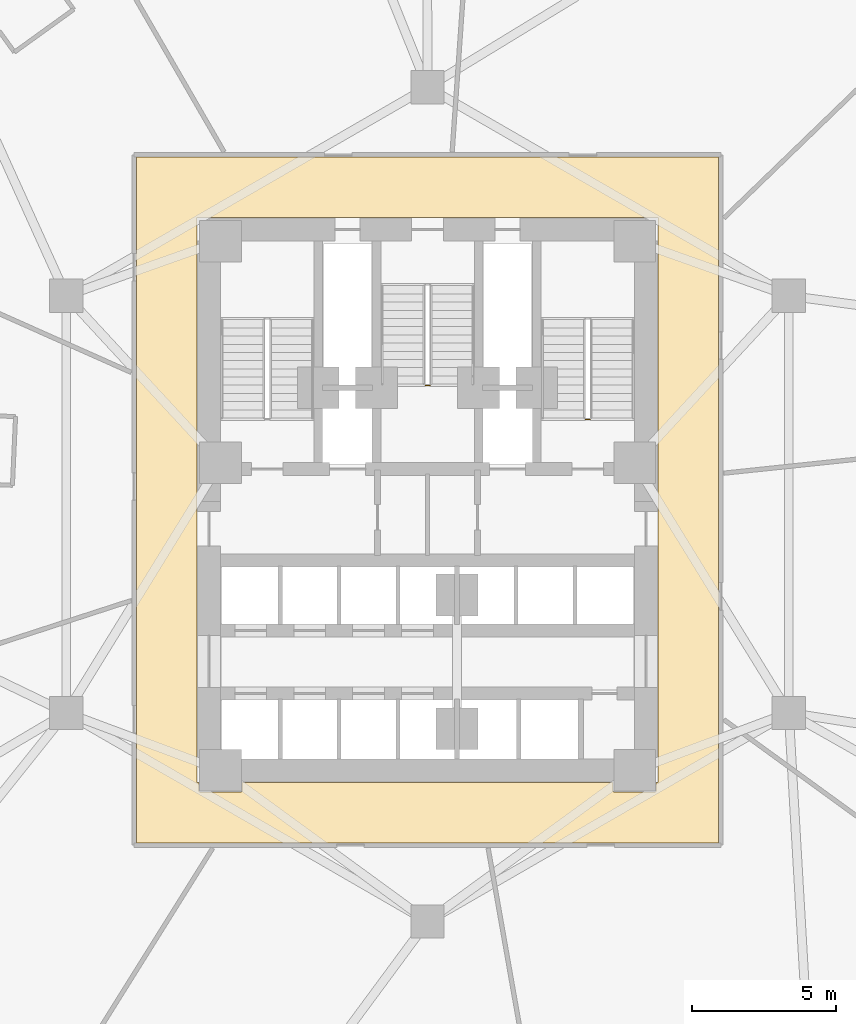
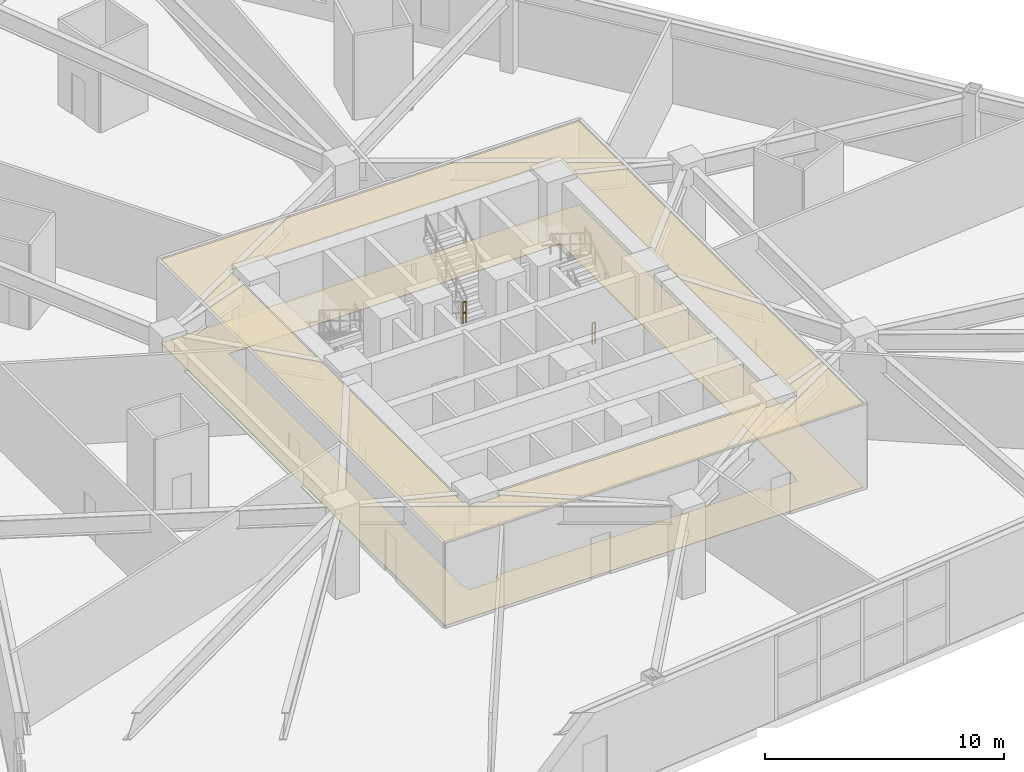
# One storey, part 18 of 21: 2 coverings, 2 railings.
"""IFC4 building model written with IfcOpenShell, lengths in metres."""

from ifc_helpers import new_model, si_unit, direction, frame, origin, origin_2d, place, context, subcontext, project, spatial, polyline, rectangle, outline, extrude, material, layer, layer_set, type_object, element, save


model = new_model("IFC4")

# Units and contexts
model_context = context("Model", 3, precision=1e-05, world=origin(), true_north=direction((0.0, 1.0)))
body_context = subcontext(model_context, "Body", "Model", "MODEL_VIEW")
ifc_project = project(units=[si_unit("LENGTHUNIT", "METRE"), si_unit("AREAUNIT", "SQUARE_METRE"), si_unit("VOLUMEUNIT", "CUBIC_METRE"), si_unit("PLANEANGLEUNIT", "RADIAN"), si_unit("MASSUNIT", "GRAM", prefix="KILO")], contexts=[model_context])

# Site, building, storey
site_placement = place(None, origin())
site = spatial("IfcSite", under=ifc_project, at=site_placement, CompositionType="ELEMENT")
building_placement = place(site_placement, origin())
building = spatial("IfcBuilding", under=site, at=building_placement, Name="Apsidion Concourse Tower", CompositionType="ELEMENT")
storey_placement = place(building_placement, frame((0.0, 0.0, 62.39990234375)))
storey = spatial("IfcBuildingStorey", under=building, at=storey_placement, Name="L13", CompositionType="ELEMENT", Elevation=62.39990234375)

# Coverings
ifc_material_1 = material(Name="Acoustic mineral fibre ceiling")
ifc_layer_1 = layer(ifc_material_1, 0.0400390625)
ifc_layer_set_1 = layer_set([ifc_layer_1], Name="Acoustic mineral fibre ceiling")
covering_type_1 = type_object("IfcCoveringType", Name="COV-CEIL-40", PredefinedType="CEILING", material=ifc_layer_set_1)
covering_1_placement = place(storey_placement, frame((0.0, 0.0, 4.25)))
element("IfcCovering", 1, at=covering_1_placement, inside=storey, type_object=covering_type_1, Name="L13 Acoustic Ceiling Grid 2", PredefinedType="CEILING", context=body_context, shape_type="SweptSolid", body=[
    extrude(outline(polyline([(10.1201171875, 12.070068359375), (10.1201171875, -11.77001953125), (-10.1201171875, -11.77001953125), (-10.1201171875, 12.070068359375), (10.1201171875, 12.070068359375)]), holes=[polyline([(-8.02001953125, -9.669921875), (-7.945068359375, -9.669921875), (-7.945068359375, -9.97509765625), (-7.94482421875, -9.97705078125), (-7.944580078125, -9.97900390625), (-7.944091796875, -9.980712890625), (-7.943603515625, -9.982666015625), (-7.942626953125, -9.984375), (-7.941650390625, -9.986083984375), (-7.9404296875, -9.98779296875), (-7.939208984375, -9.989013671875), (-7.937744140625, -9.990478515625), (-7.93603515625, -9.99169921875), (-7.934326171875, -9.99267578125), (-7.9326171875, -9.993408203125), (-7.930908203125, -9.994140625), (-7.928955078125, -9.99462890625), (-7.927001953125, -9.994873046875), (-7.925048828125, -9.9951171875), (-6.47509765625, -9.9951171875), (-6.472900390625, -9.994873046875), (-6.47119140625, -9.99462890625), (-6.46923828125, -9.994140625), (-6.46728515625, -9.993408203125), (-6.465576171875, -9.99267578125), (-6.4638671875, -9.99169921875), (-6.46240234375, -9.990478515625), (-6.4609375, -9.989013671875), (-6.45947265625, -9.98779296875), (-6.45849609375, -9.986083984375), (-6.45751953125, -9.984375), (-6.45654296875, -9.982666015625), (-6.455810546875, -9.980712890625), (-6.455322265625, -9.97900390625), (-6.455078125, -9.97705078125), (-6.455078125, -9.97509765625), (-6.455078125, -9.669921875), (6.455078125, -9.669921875), (6.455078125, -9.97509765625), (6.455078125, -9.97705078125), (6.455322265625, -9.97900390625), (6.455810546875, -9.980712890625), (6.45654296875, -9.982666015625), (6.45751953125, -9.984375), (6.45849609375, -9.986083984375), (6.45947265625, -9.98779296875), (6.4609375, -9.989013671875), (6.46240234375, -9.990478515625), (6.4638671875, -9.99169921875), (6.465576171875, -9.99267578125), (6.46728515625, -9.993408203125), (6.46923828125, -9.994140625), (6.47119140625, -9.99462890625), (6.472900390625, -9.994873046875), (6.47509765625, -9.9951171875), (7.925048828125, -9.9951171875), (7.927001953125, -9.994873046875), (7.928955078125, -9.99462890625), (7.930908203125, -9.994140625), (7.9326171875, -9.993408203125), (7.934326171875, -9.99267578125), (7.93603515625, -9.99169921875), (7.937744140625, -9.990478515625), (7.939208984375, -9.989013671875), (7.9404296875, -9.98779296875), (7.941650390625, -9.986083984375), (7.942626953125, -9.984375), (7.943603515625, -9.982666015625), (7.944091796875, -9.980712890625), (7.944580078125, -9.97900390625), (7.94482421875, -9.97705078125), (7.945068359375, -9.97509765625), (7.945068359375, -9.669921875), (8.02001953125, -9.669921875), (8.02001953125, 9.969970703125), (-8.02001953125, 9.969970703125), (-8.02001953125, -9.669921875)])]), origin(), (0.0, 0.0, 1.0), 0.0400390625),
])
ifc_material_2 = material(Name="Honed travertine floor finish", Category="masonry")
ifc_layer_2 = layer(ifc_material_2, 0.02001953125)
ifc_layer_set_2 = layer_set([ifc_layer_2], Name="Honed travertine floor finish")
covering_type_2 = type_object("IfcCoveringType", Name="COV-FLOR-20", PredefinedType="FLOORING", material=ifc_layer_set_2)
covering_2_placement = place(storey_placement, origin())
element("IfcCovering", 2, at=covering_2_placement, inside=storey, type_object=covering_type_2, Name="L13 Honed Travertine Floor Finish 2", PredefinedType="FLOORING", context=body_context, shape_type="SweptSolid", body=[
    extrude(outline(polyline([(10.1201171875, 12.070068359375), (10.1201171875, -11.77001953125), (-10.1201171875, -11.77001953125), (-10.1201171875, 12.070068359375), (10.1201171875, 12.070068359375)]), holes=[polyline([(-8.02001953125, -9.669921875), (-7.945068359375, -9.669921875), (-7.945068359375, -9.97509765625), (-7.94482421875, -9.97705078125), (-7.944580078125, -9.97900390625), (-7.944091796875, -9.980712890625), (-7.943603515625, -9.982666015625), (-7.942626953125, -9.984375), (-7.941650390625, -9.986083984375), (-7.9404296875, -9.98779296875), (-7.939208984375, -9.989013671875), (-7.937744140625, -9.990478515625), (-7.93603515625, -9.99169921875), (-7.934326171875, -9.99267578125), (-7.9326171875, -9.993408203125), (-7.930908203125, -9.994140625), (-7.928955078125, -9.99462890625), (-7.927001953125, -9.994873046875), (-7.925048828125, -9.9951171875), (-6.47509765625, -9.9951171875), (-6.472900390625, -9.994873046875), (-6.47119140625, -9.99462890625), (-6.46923828125, -9.994140625), (-6.46728515625, -9.993408203125), (-6.465576171875, -9.99267578125), (-6.4638671875, -9.99169921875), (-6.46240234375, -9.990478515625), (-6.4609375, -9.989013671875), (-6.45947265625, -9.98779296875), (-6.45849609375, -9.986083984375), (-6.45751953125, -9.984375), (-6.45654296875, -9.982666015625), (-6.455810546875, -9.980712890625), (-6.455322265625, -9.97900390625), (-6.455078125, -9.97705078125), (-6.455078125, -9.97509765625), (-6.455078125, -9.669921875), (6.455078125, -9.669921875), (6.455078125, -9.97509765625), (6.455078125, -9.97705078125), (6.455322265625, -9.97900390625), (6.455810546875, -9.980712890625), (6.45654296875, -9.982666015625), (6.45751953125, -9.984375), (6.45849609375, -9.986083984375), (6.45947265625, -9.98779296875), (6.4609375, -9.989013671875), (6.46240234375, -9.990478515625), (6.4638671875, -9.99169921875), (6.465576171875, -9.99267578125), (6.46728515625, -9.993408203125), (6.46923828125, -9.994140625), (6.47119140625, -9.99462890625), (6.472900390625, -9.994873046875), (6.47509765625, -9.9951171875), (7.925048828125, -9.9951171875), (7.927001953125, -9.994873046875), (7.928955078125, -9.99462890625), (7.930908203125, -9.994140625), (7.9326171875, -9.993408203125), (7.934326171875, -9.99267578125), (7.93603515625, -9.99169921875), (7.937744140625, -9.990478515625), (7.939208984375, -9.989013671875), (7.9404296875, -9.98779296875), (7.941650390625, -9.986083984375), (7.942626953125, -9.984375), (7.943603515625, -9.982666015625), (7.944091796875, -9.980712890625), (7.944580078125, -9.97900390625), (7.94482421875, -9.97705078125), (7.945068359375, -9.97509765625), (7.945068359375, -9.669921875), (8.02001953125, -9.669921875), (8.02001953125, 9.969970703125), (-8.02001953125, 9.969970703125), (-8.02001953125, -9.669921875)])]), origin(), (0.0, 0.0, 1.0), 0.02001953125),
])

# Railings
ifc_material_3 = material(Name="Brushed stainless steel 316", Category="steel")
railing_type = type_object("IfcRailingType", Name="RL-GUARD-1100", PredefinedType="GUARDRAIL", material=ifc_material_3)
railing_1_placement = place(storey_placement, frame((5.64990234375, 2.949951171875, 0.0)))
element("IfcRailing", 3, at=railing_1_placement, inside=storey, type_object=railing_type, Name="L13 ST2 stair guard 4", PredefinedType="GUARDRAIL", context=body_context, shape_type="SweptSolid", body=[
    extrude(rectangle(XDim=0.048095703125, YDim=0.048095703125, at=origin_2d()), frame((0.0, 0.0, 1.09619140625), z_axis=(-1.0, 0.0, 0.0), x_axis=(0.0, -1.0, 0.0)), (0.0, 0.0, 1.0), 0.14990234375),
    extrude(rectangle(XDim=0.048095703125, YDim=0.048095703125, at=origin_2d()), frame((0.0, 0.0, 0.5361328125), z_axis=(-1.0, 0.0, 0.0), x_axis=(0.0, -1.0, 0.0)), (0.0, 0.0, 1.0), 0.14990234375),
    extrude(rectangle(XDim=0.0419921875, YDim=0.0419921875, at=origin_2d()), origin(), (0.0, 0.0, 1.0), 1.072021484375),
    extrude(rectangle(XDim=0.0419921875, YDim=0.0419921875, at=origin_2d()), frame((-0.14990234375, 0.0, 0.0)), (0.0, 0.0, 1.0), 1.072021484375),
])
railing_2_placement = place(storey_placement, frame((-0.074951171875, 4.1298828125, 2.300048828125)))
element("IfcRailing", 4, at=railing_2_placement, inside=storey, type_object=railing_type, Name="L13 ST3 stair guard 2", PredefinedType="GUARDRAIL", context=body_context, shape_type="SweptSolid", body=[
    extrude(rectangle(XDim=0.048095703125, YDim=0.048095703125, at=origin_2d()), frame((0.0, 0.0, 1.09619140625), z_axis=(1.0, 0.0, 0.0), x_axis=(0.0, 1.0, 0.0)), (0.0, 0.0, 1.0), 0.14990234375),
    extrude(rectangle(XDim=0.048095703125, YDim=0.048095703125, at=origin_2d()), frame((0.0, 0.0, 0.5361328125), z_axis=(1.0, 0.0, 0.0), x_axis=(0.0, 1.0, 0.0)), (0.0, 0.0, 1.0), 0.14990234375),
    extrude(rectangle(XDim=0.0419921875, YDim=0.0419921875, at=origin_2d()), origin(), (0.0, 0.0, 1.0), 1.072021484375),
    extrude(rectangle(XDim=0.0419921875, YDim=0.0419921875, at=origin_2d()), frame((0.14990234375, 0.0, 0.0)), (0.0, 0.0, 1.0), 1.072021484375),
])

save(model, "model.ifc")
